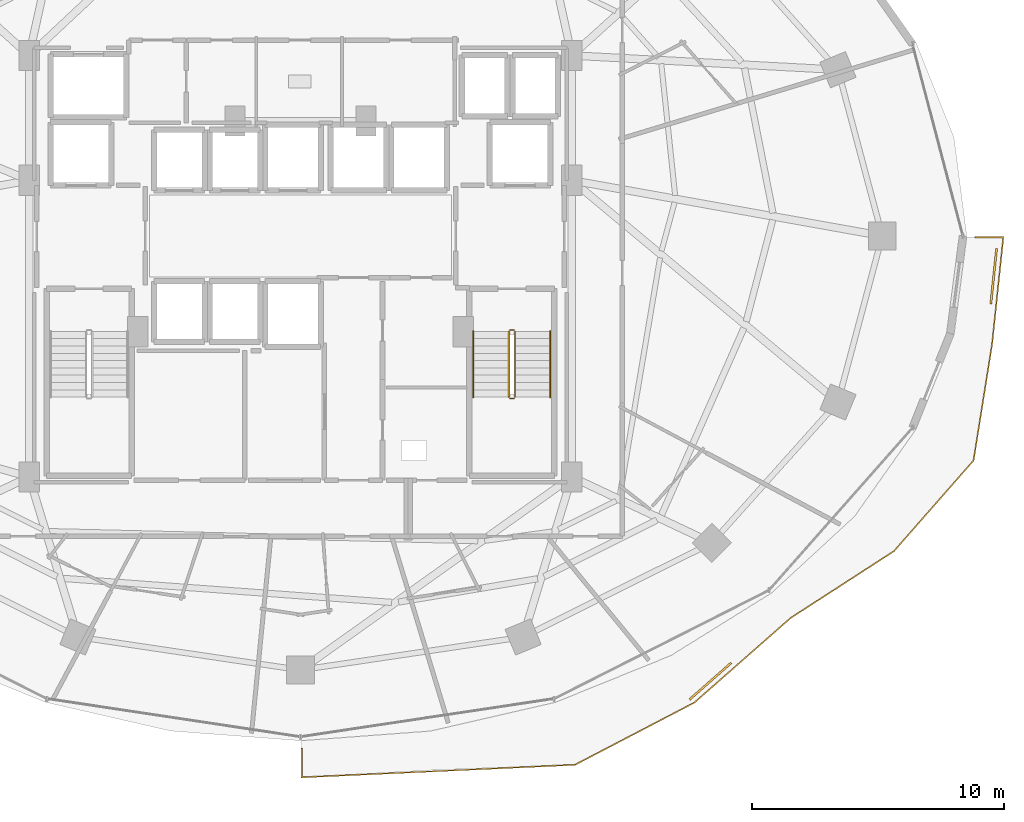
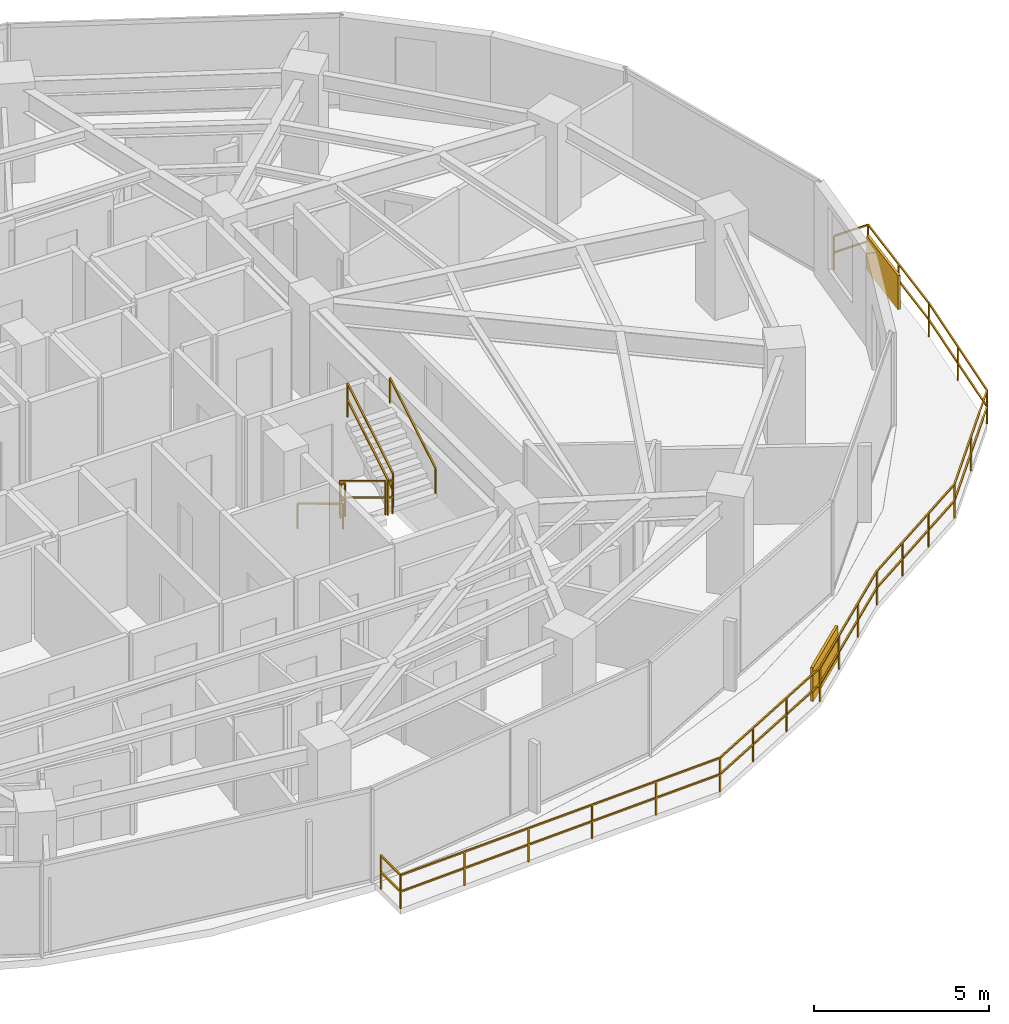
# One storey, part 27 of 29: 8 railings, 2 shading devices.
"""IFC4 building model written with IfcOpenShell, lengths in metres."""

from ifc_helpers import new_model, si_unit, direction, frame, origin, origin_2d, place, context, subcontext, project, spatial, rectangle, extrude, material, type_object, element, save


model = new_model("IFC4")

# Units and contexts
model_context = context("Model", 3, precision=1e-05, world=origin(), true_north=direction((0.0, 1.0)))
body_context = subcontext(model_context, "Body", "Model", "MODEL_VIEW")
ifc_project = project(units=[si_unit("LENGTHUNIT", "METRE"), si_unit("AREAUNIT", "SQUARE_METRE"), si_unit("VOLUMEUNIT", "CUBIC_METRE"), si_unit("PLANEANGLEUNIT", "RADIAN"), si_unit("MASSUNIT", "GRAM", prefix="KILO")], contexts=[model_context])

# Site, building, storey
site_placement = place(None, origin())
site = spatial("IfcSite", under=ifc_project, at=site_placement, CompositionType="ELEMENT")
building_placement = place(site_placement, origin())
building = spatial("IfcBuilding", under=site, at=building_placement, Name="Vorneva Point Tower", CompositionType="ELEMENT")
storey_placement = place(building_placement, frame((0.0, 0.0, 110.300048828125)))
storey = spatial("IfcBuildingStorey", under=building, at=storey_placement, Name="L29", CompositionType="ELEMENT", Elevation=110.300048828125)

# Railings
ifc_material_1 = material(Name="Pale anodised aluminium", Category="aluminium")
railing_type_1 = type_object("IfcRailingType", Name="RL-BAL-1200", PredefinedType="BALUSTRADE", material=ifc_material_1)
railing_1_placement = place(storey_placement, frame((65.402587890625, 21.70166015625, 0.0)))
element("IfcRailing", 1, at=railing_1_placement, inside=storey, type_object=railing_type_1, Name="L29 Wave Balcony Balustrade SE.1", PredefinedType="BALUSTRADE", context=body_context, shape_type="SweptSolid", body=[
    extrude(rectangle(XDim=0.048095703125, YDim=0.048095703125, at=origin_2d()), frame((0.0, 0.0, 1.17578125), z_axis=(0.104646108681, 0.994509523302, 0.0), x_axis=(-0.994509523302, 0.104646108681, 0.0)), (0.0, 0.0, 1.0), 4.271728515625),
    extrude(rectangle(XDim=0.048095703125, YDim=0.048095703125, at=origin_2d()), frame((0.0, 0.0, 0.60009765625), z_axis=(0.104646108681, 0.994509523302, 0.0), x_axis=(-0.994509523302, 0.104646108681, 0.0)), (0.0, 0.0, 1.0), 4.271728515625),
    extrude(rectangle(XDim=0.048095703125, YDim=0.048095703125, at=origin_2d()), frame((0.447021484375, 4.248291015625, 1.17578125), z_axis=(-1.0, 0.0, 0.0), x_axis=(0.0, -1.0, 0.0)), (0.0, 0.0, 1.0), 1.13330078125),
    extrude(rectangle(XDim=0.048095703125, YDim=0.048095703125, at=origin_2d()), frame((0.447021484375, 4.248291015625, 0.60009765625), z_axis=(-1.0, 0.0, 0.0), x_axis=(0.0, -1.0, 0.0)), (0.0, 0.0, 1.0), 1.13330078125),
    extrude(rectangle(XDim=0.0419921875, YDim=0.0419921875, at=origin_2d()), origin(), (0.0, 0.0, 1.0), 1.15185546875),
    extrude(rectangle(XDim=0.0419921875, YDim=0.0419921875, at=origin_2d()), frame((0.2236328125, 2.1240234375, 0.0)), (0.0, 0.0, 1.0), 1.15185546875),
    extrude(rectangle(XDim=0.0419921875, YDim=0.0419921875, at=origin_2d()), frame((0.447021484375, 4.248291015625, 0.0)), (0.0, 0.0, 1.0), 1.15185546875),
    extrude(rectangle(XDim=0.0419921875, YDim=0.0419921875, at=origin_2d()), frame((-0.686279296875, 4.248291015625, 0.0)), (0.0, 0.0, 1.0), 1.15185546875),
])
railing_2_placement = place(storey_placement, frame((38.050048828125, 5.682861328125, 0.0)))
element("IfcRailing", 2, at=railing_2_placement, inside=storey, type_object=railing_type_1, Name="L29 Wave Balcony Balustrade SE.2", PredefinedType="BALUSTRADE", context=body_context, shape_type="SweptSolid", body=[
    extrude(rectangle(XDim=0.048095703125, YDim=0.048095703125, at=origin_2d()), frame((0.0, 0.0, 1.17578125), z_axis=(0.0, -1.0, 0.0), x_axis=(1.0, 0.0, 0.0)), (0.0, 0.0, 1.0), 1.13525390625),
    extrude(rectangle(XDim=0.048095703125, YDim=0.048095703125, at=origin_2d()), frame((0.0, 0.0, 0.60009765625), z_axis=(0.0, -1.0, 0.0), x_axis=(1.0, 0.0, 0.0)), (0.0, 0.0, 1.0), 1.13525390625),
    extrude(rectangle(XDim=0.048095703125, YDim=0.048095703125, at=origin_2d()), frame((0.0, -1.13525390625, 1.17578125), z_axis=(0.998947400212, 0.045870378356, 0.0), x_axis=(-0.045870378356, 0.998947400212, 0.0)), (0.0, 0.0, 1.0), 10.841796875),
    extrude(rectangle(XDim=0.048095703125, YDim=0.048095703125, at=origin_2d()), frame((0.0, -1.13525390625, 0.60009765625), z_axis=(0.998947400212, 0.045870378356, 0.0), x_axis=(-0.045870378356, 0.998947400212, 0.0)), (0.0, 0.0, 1.0), 10.841796875),
    extrude(rectangle(XDim=0.048095703125, YDim=0.048095703125, at=origin_2d()), frame((10.830322265625, -0.637939453125, 1.17578125), z_axis=(0.886830442852, 0.462094974688, 0.0), x_axis=(-0.462094974688, 0.886830442852, 0.0)), (0.0, 0.0, 1.0), 5.33251953125),
    extrude(rectangle(XDim=0.048095703125, YDim=0.048095703125, at=origin_2d()), frame((10.830322265625, -0.637939453125, 0.60009765625), z_axis=(0.886830442852, 0.462094974688, 0.0), x_axis=(-0.462094974688, 0.886830442852, 0.0)), (0.0, 0.0, 1.0), 5.33251953125),
    extrude(rectangle(XDim=0.048095703125, YDim=0.048095703125, at=origin_2d()), frame((15.559326171875, 1.826171875, 1.17578125), z_axis=(0.750995803, 0.660306977001, 0.0), x_axis=(-0.660306977001, 0.750995803, 0.0)), (0.0, 0.0, 1.0), 5.0771484375),
    extrude(rectangle(XDim=0.048095703125, YDim=0.048095703125, at=origin_2d()), frame((15.559326171875, 1.826171875, 0.60009765625), z_axis=(0.750995803, 0.660306977001, 0.0), x_axis=(-0.660306977001, 0.750995803, 0.0)), (0.0, 0.0, 1.0), 5.0771484375),
    extrude(rectangle(XDim=0.048095703125, YDim=0.048095703125, at=origin_2d()), frame((19.372314453125, 5.1787109375, 1.17578125), z_axis=(0.839743461162, 0.542983350975, 0.0), x_axis=(-0.542983350975, 0.839743461162, 0.0)), (0.0, 0.0, 1.0), 4.87451171875),
    extrude(rectangle(XDim=0.048095703125, YDim=0.048095703125, at=origin_2d()), frame((19.372314453125, 5.1787109375, 0.60009765625), z_axis=(0.839743461162, 0.542983350975, 0.0), x_axis=(-0.542983350975, 0.839743461162, 0.0)), (0.0, 0.0, 1.0), 4.87451171875),
    extrude(rectangle(XDim=0.048095703125, YDim=0.048095703125, at=origin_2d()), frame((23.465576171875, 7.825439453125, 1.17578125), z_axis=(0.65966820994, 0.751556952463, 0.0), x_axis=(-0.751556952463, 0.65966820994, 0.0)), (0.0, 0.0, 1.0), 4.77978515625),
    extrude(rectangle(XDim=0.048095703125, YDim=0.048095703125, at=origin_2d()), frame((23.465576171875, 7.825439453125, 0.60009765625), z_axis=(0.65966820994, 0.751556952463, 0.0), x_axis=(-0.751556952463, 0.65966820994, 0.0)), (0.0, 0.0, 1.0), 4.77978515625),
    extrude(rectangle(XDim=0.048095703125, YDim=0.048095703125, at=origin_2d()), frame((26.61865234375, 11.417724609375, 1.17578125), z_axis=(0.157512267524, 0.987517030526, 0.0), x_axis=(-0.987517030526, 0.157512267524, 0.0)), (0.0, 0.0, 1.0), 4.6591796875),
    extrude(rectangle(XDim=0.048095703125, YDim=0.048095703125, at=origin_2d()), frame((26.61865234375, 11.417724609375, 0.60009765625), z_axis=(0.157512267524, 0.987517030526, 0.0), x_axis=(-0.987517030526, 0.157512267524, 0.0)), (0.0, 0.0, 1.0), 4.6591796875),
    extrude(rectangle(XDim=0.0419921875, YDim=0.0419921875, at=origin_2d()), origin(), (0.0, 0.0, 1.0), 1.15185546875),
    extrude(rectangle(XDim=0.0419921875, YDim=0.0419921875, at=origin_2d()), frame((0.0, -1.13525390625, 0.0)), (0.0, 0.0, 1.0), 1.15185546875),
    extrude(rectangle(XDim=0.0419921875, YDim=0.0419921875, at=origin_2d()), frame((2.166015625, -1.035888671875, 0.0)), (0.0, 0.0, 1.0), 1.15185546875),
    extrude(rectangle(XDim=0.0419921875, YDim=0.0419921875, at=origin_2d()), frame((4.33203125, -0.936279296875, 0.0)), (0.0, 0.0, 1.0), 1.15185546875),
    extrude(rectangle(XDim=0.0419921875, YDim=0.0419921875, at=origin_2d()), frame((6.498291015625, -0.8369140625, 0.0)), (0.0, 0.0, 1.0), 1.15185546875),
    extrude(rectangle(XDim=0.0419921875, YDim=0.0419921875, at=origin_2d()), frame((8.664306640625, -0.7373046875, 0.0)), (0.0, 0.0, 1.0), 1.15185546875),
    extrude(rectangle(XDim=0.0419921875, YDim=0.0419921875, at=origin_2d()), frame((10.830322265625, -0.637939453125, 0.0)), (0.0, 0.0, 1.0), 1.15185546875),
    extrude(rectangle(XDim=0.0419921875, YDim=0.0419921875, at=origin_2d()), frame((12.40673828125, 0.183349609375, 0.0)), (0.0, 0.0, 1.0), 1.15185546875),
    extrude(rectangle(XDim=0.0419921875, YDim=0.0419921875, at=origin_2d()), frame((13.98291015625, 1.0048828125, 0.0)), (0.0, 0.0, 1.0), 1.15185546875),
    extrude(rectangle(XDim=0.0419921875, YDim=0.0419921875, at=origin_2d()), frame((15.559326171875, 1.826171875, 0.0)), (0.0, 0.0, 1.0), 1.15185546875),
    extrude(rectangle(XDim=0.0419921875, YDim=0.0419921875, at=origin_2d()), frame((16.830322265625, 2.943603515625, 0.0)), (0.0, 0.0, 1.0), 1.15185546875),
    extrude(rectangle(XDim=0.0419921875, YDim=0.0419921875, at=origin_2d()), frame((18.101318359375, 4.061279296875, 0.0)), (0.0, 0.0, 1.0), 1.15185546875),
    extrude(rectangle(XDim=0.0419921875, YDim=0.0419921875, at=origin_2d()), frame((19.372314453125, 5.1787109375, 0.0)), (0.0, 0.0, 1.0), 1.15185546875),
    extrude(rectangle(XDim=0.0419921875, YDim=0.0419921875, at=origin_2d()), frame((20.73681640625, 6.06103515625, 0.0)), (0.0, 0.0, 1.0), 1.15185546875),
    extrude(rectangle(XDim=0.0419921875, YDim=0.0419921875, at=origin_2d()), frame((22.10107421875, 6.943115234375, 0.0)), (0.0, 0.0, 1.0), 1.15185546875),
    extrude(rectangle(XDim=0.0419921875, YDim=0.0419921875, at=origin_2d()), frame((23.465576171875, 7.825439453125, 0.0)), (0.0, 0.0, 1.0), 1.15185546875),
    extrude(rectangle(XDim=0.0419921875, YDim=0.0419921875, at=origin_2d()), frame((25.0419921875, 9.62158203125, 0.0)), (0.0, 0.0, 1.0), 1.15185546875),
    extrude(rectangle(XDim=0.0419921875, YDim=0.0419921875, at=origin_2d()), frame((26.61865234375, 11.417724609375, 0.0)), (0.0, 0.0, 1.0), 1.15185546875),
    extrude(rectangle(XDim=0.0419921875, YDim=0.0419921875, at=origin_2d()), frame((26.985595703125, 13.71826171875, 0.0)), (0.0, 0.0, 1.0), 1.15185546875),
    extrude(rectangle(XDim=0.0419921875, YDim=0.0419921875, at=origin_2d()), frame((27.3525390625, 16.018798828125, 0.0)), (0.0, 0.0, 1.0), 1.15185546875),
])
ifc_material_2 = material(Name="Brushed stainless steel S304", Category="steel")
railing_type_2 = type_object("IfcRailingType", Name="RL-HND-920", PredefinedType="HANDRAIL", material=ifc_material_2)
railing_3_placement = place(storey_placement, frame((44.85009765625, 22.219970703125, 0.175048828125)))
element("IfcRailing", 3, at=railing_3_placement, inside=storey, type_object=railing_type_2, Name="L29 ST2 stair handrail 1", PredefinedType="HANDRAIL", context=body_context, shape_type="SweptSolid", body=[
    extrude(rectangle(XDim=0.048095703125, YDim=0.048095703125, at=origin_2d()), frame((0.0, 0.0, 0.8759765625), z_axis=(0.0, -0.85618277418, 0.516673066065), x_axis=(1.0, 0.0, 0.0)), (0.0, 0.0, 1.0), 3.04833984375),
    extrude(rectangle(XDim=0.0419921875, YDim=0.0419921875, at=origin_2d()), origin(), (0.0, 0.0, 1.0), 0.851806640625),
    extrude(rectangle(XDim=0.0419921875, YDim=0.0419921875, at=origin_2d()), frame((0.0, -2.60986328125, 1.574951171875)), (0.0, 0.0, 1.0), 0.851806640625),
])
railing_4_placement = place(storey_placement, frame((47.89990234375, 19.610107421875, 1.925048828125)))
element("IfcRailing", 4, at=railing_4_placement, inside=storey, type_object=railing_type_2, Name="L29 ST2 stair handrail 2", PredefinedType="HANDRAIL", context=body_context, shape_type="SweptSolid", body=[
    extrude(rectangle(XDim=0.048095703125, YDim=0.048095703125, at=origin_2d()), frame((0.0, 0.0, 0.8759765625), z_axis=(0.0, 0.85618277418, 0.516673066065), x_axis=(-1.0, 0.0, 0.0)), (0.0, 0.0, 1.0), 3.04833984375),
    extrude(rectangle(XDim=0.0419921875, YDim=0.0419921875, at=origin_2d()), origin(), (0.0, 0.0, 1.0), 0.851806640625),
    extrude(rectangle(XDim=0.0419921875, YDim=0.0419921875, at=origin_2d()), frame((0.0, 2.60986328125, 1.574951171875)), (0.0, 0.0, 1.0), 0.851806640625),
])
railing_type_3 = type_object("IfcRailingType", Name="RL-STG-1100", PredefinedType="GUARDRAIL", material=ifc_material_2)
railing_5_placement = place(storey_placement, frame((46.25, 22.219970703125, 0.175048828125)))
element("IfcRailing", 5, at=railing_5_placement, inside=storey, type_object=railing_type_3, Name="L29 ST2 stair guard 1", PredefinedType="GUARDRAIL", context=body_context, shape_type="SweptSolid", body=[
    extrude(rectangle(XDim=0.048095703125, YDim=0.048095703125, at=origin_2d()), frame((0.0, 0.0, 1.17578125), z_axis=(0.0, -0.85618277418, 0.516673066065), x_axis=(1.0, 0.0, 0.0)), (0.0, 0.0, 1.0), 3.04833984375),
    extrude(rectangle(XDim=0.048095703125, YDim=0.048095703125, at=origin_2d()), frame((0.0, 0.0, 0.60009765625), z_axis=(0.0, -0.85618277418, 0.516673066065), x_axis=(1.0, 0.0, 0.0)), (0.0, 0.0, 1.0), 3.04833984375),
    extrude(rectangle(XDim=0.0419921875, YDim=0.0419921875, at=origin_2d()), origin(), (0.0, 0.0, 1.0), 1.15185546875),
    extrude(rectangle(XDim=0.0419921875, YDim=0.0419921875, at=origin_2d()), frame((0.0, -2.60986328125, 1.574951171875)), (0.0, 0.0, 1.0), 1.15185546875),
])
railing_6_placement = place(storey_placement, frame((46.300048828125, 19.56005859375, 1.75)))
element("IfcRailing", 6, at=railing_6_placement, inside=storey, type_object=railing_type_3, Name="L29 ST2 stair guard 2", PredefinedType="GUARDRAIL", context=body_context, shape_type="SweptSolid", body=[
    extrude(rectangle(XDim=0.048095703125, YDim=0.048095703125, at=origin_2d()), frame((0.0, 0.0, 1.17578125), z_axis=(1.0, 0.0, 0.0), x_axis=(0.0, 1.0, 0.0)), (0.0, 0.0, 1.0), 0.14990234375),
    extrude(rectangle(XDim=0.048095703125, YDim=0.048095703125, at=origin_2d()), frame((0.0, 0.0, 0.60009765625), z_axis=(1.0, 0.0, 0.0), x_axis=(0.0, 1.0, 0.0)), (0.0, 0.0, 1.0), 0.14990234375),
    extrude(rectangle(XDim=0.0419921875, YDim=0.0419921875, at=origin_2d()), origin(), (0.0, 0.0, 1.0), 1.15185546875),
    extrude(rectangle(XDim=0.0419921875, YDim=0.0419921875, at=origin_2d()), frame((0.14990234375, 0.0, 0.0)), (0.0, 0.0, 1.0), 1.15185546875),
])
railing_7_placement = place(storey_placement, frame((46.5, 19.610107421875, 1.925048828125)))
element("IfcRailing", 7, at=railing_7_placement, inside=storey, type_object=railing_type_3, Name="L29 ST2 stair guard 3", PredefinedType="GUARDRAIL", context=body_context, shape_type="SweptSolid", body=[
    extrude(rectangle(XDim=0.048095703125, YDim=0.048095703125, at=origin_2d()), frame((0.0, 0.0, 1.17578125), z_axis=(0.0, 0.85618277418, 0.516673066065), x_axis=(-1.0, 0.0, 0.0)), (0.0, 0.0, 1.0), 3.04833984375),
    extrude(rectangle(XDim=0.048095703125, YDim=0.048095703125, at=origin_2d()), frame((0.0, 0.0, 0.60009765625), z_axis=(0.0, 0.85618277418, 0.516673066065), x_axis=(-1.0, 0.0, 0.0)), (0.0, 0.0, 1.0), 3.04833984375),
    extrude(rectangle(XDim=0.0419921875, YDim=0.0419921875, at=origin_2d()), origin(), (0.0, 0.0, 1.0), 1.15185546875),
    extrude(rectangle(XDim=0.0419921875, YDim=0.0419921875, at=origin_2d()), frame((0.0, 2.60986328125, 1.574951171875)), (0.0, 0.0, 1.0), 1.15185546875),
])
railing_8_placement = place(storey_placement, frame((46.300048828125, 22.27001953125, 0.0)))
element("IfcRailing", 8, at=railing_8_placement, inside=storey, type_object=railing_type_3, Name="L29 ST2 stair guard 4", PredefinedType="GUARDRAIL", context=body_context, shape_type="SweptSolid", body=[
    extrude(rectangle(XDim=0.048095703125, YDim=0.048095703125, at=origin_2d()), frame((0.0, 0.0, 1.17578125), z_axis=(1.0, 0.0, 0.0), x_axis=(0.0, 1.0, 0.0)), (0.0, 0.0, 1.0), 0.14990234375),
    extrude(rectangle(XDim=0.048095703125, YDim=0.048095703125, at=origin_2d()), frame((0.0, 0.0, 0.60009765625), z_axis=(1.0, 0.0, 0.0), x_axis=(0.0, 1.0, 0.0)), (0.0, 0.0, 1.0), 0.14990234375),
    extrude(rectangle(XDim=0.0419921875, YDim=0.0419921875, at=origin_2d()), origin(), (0.0, 0.0, 1.0), 1.15185546875),
    extrude(rectangle(XDim=0.0419921875, YDim=0.0419921875, at=origin_2d()), frame((0.14990234375, 0.0, 0.0)), (0.0, 0.0, 1.0), 1.15185546875),
])

# Shading devices
shading_device_type = type_object("IfcShadingDeviceType", Name="SHD-JAL-1200", PredefinedType="JALOUSIE", material=ifc_material_1)
for number, where, z_axis, x_axis, name in (
    (9, (65.4658203125, 24.40234375, -0.02001953125), (0.0, 0.0, 1.0), (0.104632608784, 0.99451094372, 0.0), "L29 Balcony Vertical-Greenery Planter Screen SE.1"),
    (10, (54.24169921875, 8.35791015625, -0.02001953125), (0.0, 0.0, 1.0), (0.75099913133, 0.660303191527, 0.0), "L29 Balcony Vertical-Greenery Planter Screen SE.2"),
):
    element("IfcShadingDevice", number, at=place(storey_placement, frame(where, z_axis=z_axis, x_axis=x_axis)), inside=storey, type_object=shading_device_type, Name=name, PredefinedType="JALOUSIE", context=body_context, shape_type="SweptSolid", body=[
        extrude(rectangle(XDim=2.199951171875, YDim=0.080078125, at=origin_2d()), origin(), (0.0, 0.0, 1.0), 1.199951171875),
    ])

save(model, "model.ifc")
